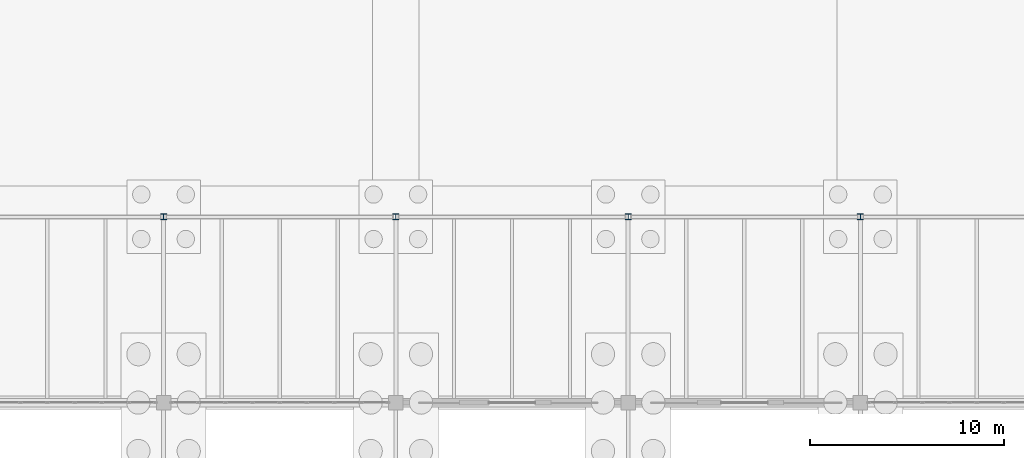
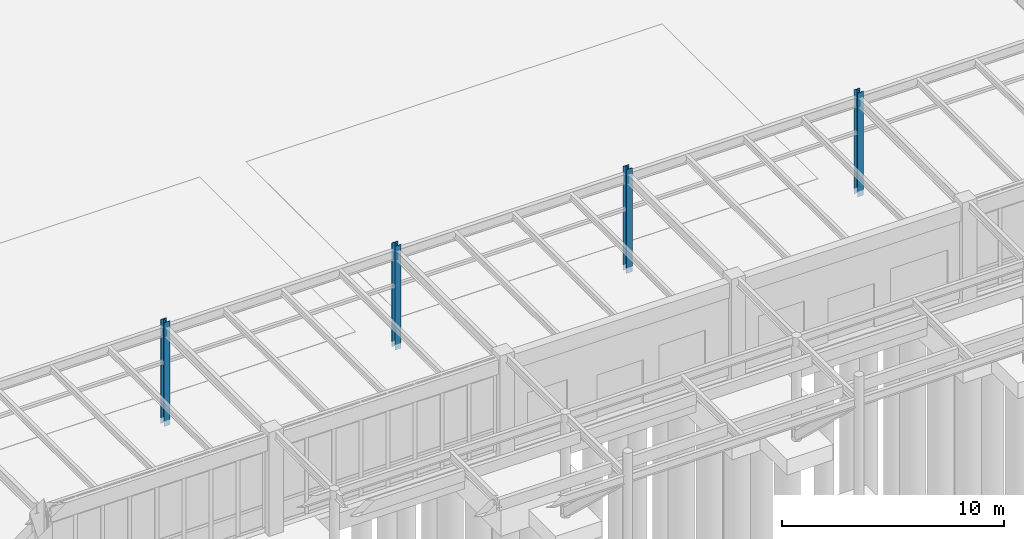
# One storey, part 9 of 188: 4 columns.
"""IFC4 building model written with IfcOpenShell, lengths in metres."""

from ifc_helpers import new_model, si_unit, direction, frame, origin, origin_2d, place, context, subcontext, project, spatial, i_section, extrude, material, material_profile, profile_set, type_object, element, save


model = new_model("IFC4")

# Units and contexts
model_context = context("Model", 3, precision=1e-05, world=origin(), true_north=direction((0.0, 1.0)))
body_context = subcontext(model_context, "Body", "Model", "MODEL_VIEW")
ifc_project = project(units=[si_unit("LENGTHUNIT", "METRE"), si_unit("AREAUNIT", "SQUARE_METRE"), si_unit("VOLUMEUNIT", "CUBIC_METRE"), si_unit("PLANEANGLEUNIT", "RADIAN"), si_unit("MASSUNIT", "GRAM", prefix="KILO")], contexts=[model_context])

# Site, building, storey
site_placement = place(None, origin())
site = spatial("IfcSite", under=ifc_project, at=site_placement, CompositionType="ELEMENT")
building_placement = place(site_placement, origin())
building = spatial("IfcBuilding", under=site, at=building_placement, Name="Pandanus Reach Market Hall", CompositionType="ELEMENT")
storey_placement = place(building_placement, origin())
storey = spatial("IfcBuildingStorey", under=building, at=storey_placement, Name="L00", CompositionType="ELEMENT", Elevation=0.0)

# Columns
ifc_material = material(Name="Steel Grade 350 (350 MPa)", Category="steel")
ifc_material_profile = material_profile(ifc_material, i_section(OverallWidth=0.306884765625, OverallDepth=0.31494140625, WebThickness=0.011962890625, FlangeThickness=0.018798828125, at=origin_2d()), Name="310UC118", Category="LoadBearing")
ifc_profile_set = profile_set([ifc_material_profile], Name="Steel Grade 350 (350 MPa)")
column_type = type_object("IfcColumnType", Name="CL-UC310-I", PredefinedType="COLUMN", material=ifc_profile_set)
for number, where, z_axis, x_axis, name in (
    (1, (72.0, 38.39990234375, -0.300048828125), (0.0, 0.0, 1.0), (1.0, 0.0, 0.0), "Column CL-UC310-I V1M-72-384 L00"),
    (2, (84.0, 38.39990234375, -0.300048828125), (0.0, 0.0, 1.0), (1.0, 0.0, 0.0), "Column CL-UC310-I V1M-84-384 L00"),
    (3, (96.0, 38.39990234375, -0.300048828125), (0.0, 0.0, 1.0), (1.0, 0.0, 0.0), "Column CL-UC310-I V1M-96-384 L00"),
    (4, (108.0, 38.39990234375, -0.300048828125), (0.0, 0.0, 1.0), (1.0, 0.0, 0.0), "Column CL-UC310-I V1M-108-384 L00"),
):
    element("IfcColumn", number, at=place(storey_placement, frame(where, z_axis=z_axis, x_axis=x_axis)), inside=storey, type_object=column_type, Name=name, PredefinedType="COLUMN", context=body_context, shape_type="SweptSolid", body=[
        extrude(i_section(OverallWidth=0.306884765625, OverallDepth=0.31494140625, WebThickness=0.011962890625, FlangeThickness=0.018798828125, at=origin_2d()), origin(), (0.0, 0.0, 1.0), 5.699951171875),
    ])

save(model, "model.ifc")
